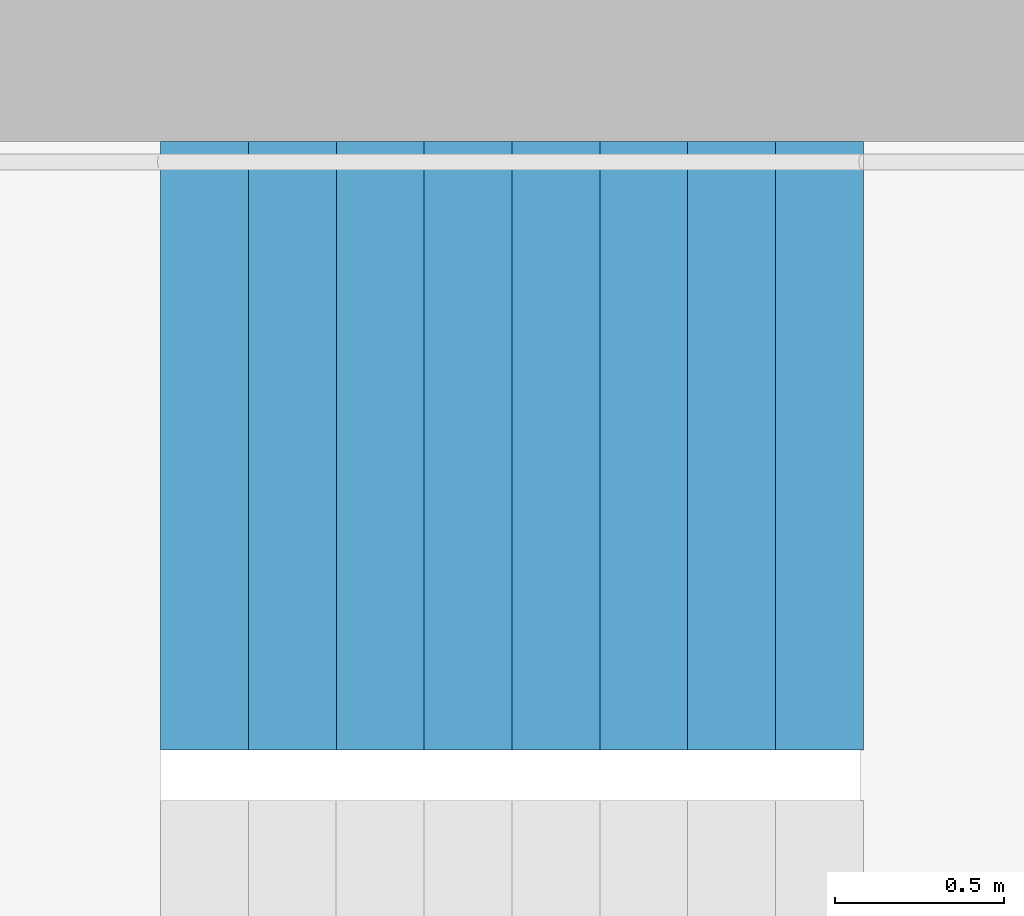
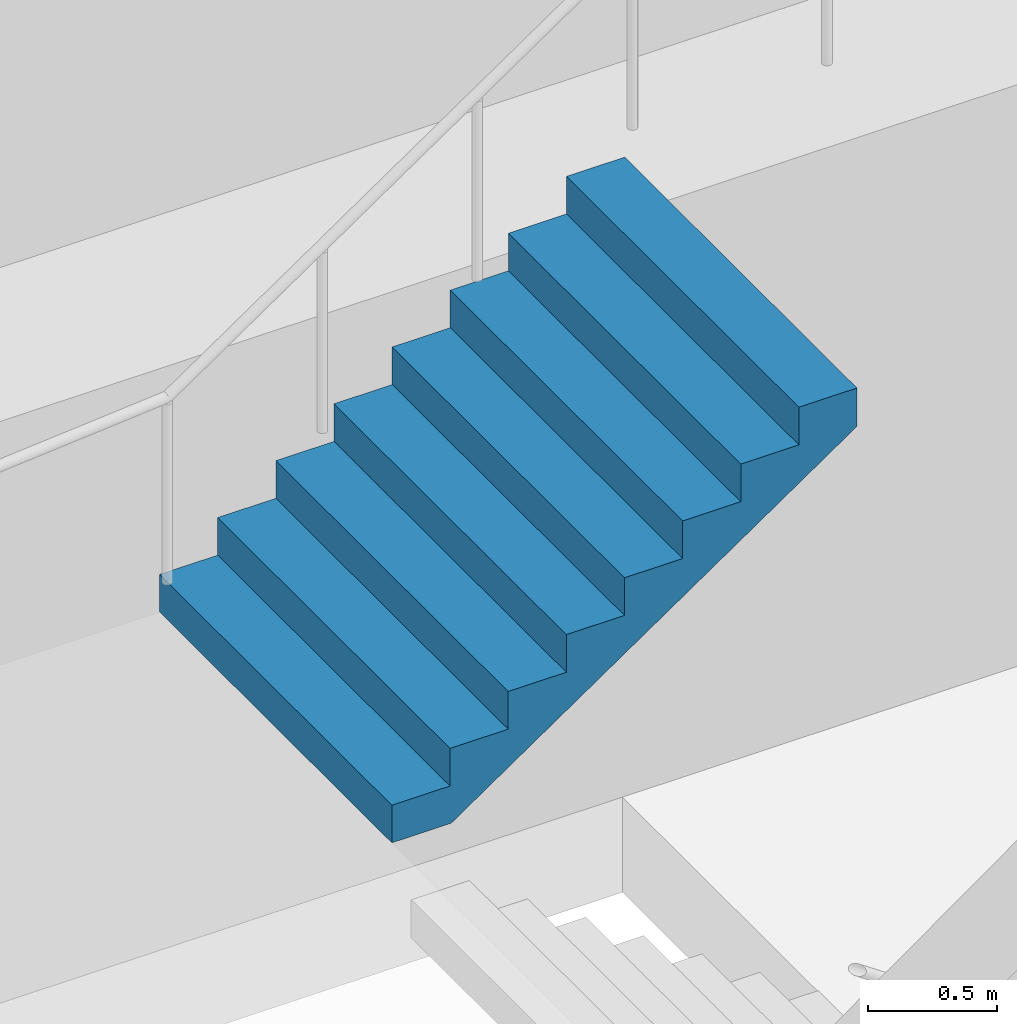
# One storey, part 25 of 26: 1 stair flight, 1 element without a shape of its own.
"""IFC4 building model written with IfcOpenShell, lengths in metres."""

from ifc_helpers import new_model, si_unit, direction, frame, origin, place, context, subcontext, project, spatial, triangles, material, type_object, element, aggregate, save


model = new_model("IFC4")

# Units and contexts
model_context = context("Model", 3, precision=1e-05, world=origin(), true_north=direction((0.0, 1.0)))
body_context = subcontext(model_context, "Body", "Model", "MODEL_VIEW")
ifc_project = project(units=[si_unit("LENGTHUNIT", "METRE"), si_unit("AREAUNIT", "SQUARE_METRE"), si_unit("VOLUMEUNIT", "CUBIC_METRE"), si_unit("PLANEANGLEUNIT", "RADIAN"), si_unit("MASSUNIT", "GRAM", prefix="KILO")], contexts=[model_context])

# Site, building, storey
site_placement = place(None, origin())
site = spatial("IfcSite", under=ifc_project, at=site_placement, CompositionType="ELEMENT")
building_placement = place(site_placement, origin())
building = spatial("IfcBuilding", under=site, at=building_placement, Name="Hakoniwa Tower and Hamabe Station Hall", CompositionType="ELEMENT")
storey_placement = place(building_placement, frame((0.0, 0.0, 251.800048828125)))
storey = spatial("IfcBuildingStorey", under=building, at=storey_placement, Name="L71", CompositionType="ELEMENT", Elevation=251.800048828125)

# Stair, stair flight
ifc_material_1 = material(Name="Concrete C40", Category="concrete")
stair_type = type_object("IfcStairType", Name="ESCAPE STAIR 1800", PredefinedType="HALF_TURN_STAIR", material=ifc_material_1)
stair_placement = place(storey_placement, origin())
stair = element("IfcStair", 1, at=stair_placement, inside=storey, type_object=stair_type, Name="Escape stair ST-3 L71", PredefinedType="HALF_TURN_STAIR")
ifc_material_2 = material(Name="Concrete C40", Category="concrete")
stair_flight_type = type_object("IfcStairFlightType", Name="STAIR FLIGHT 1800", PredefinedType="STRAIGHT", material=ifc_material_2)
stair_flight_placement = place(storey_placement, frame((22.320068359375, 6.60009765625, 1.599853515625), z_axis=(0.0, 0.0, 1.0), x_axis=(1.0, 0.0, 0.0)))
stair_flight = element("IfcStairFlight", 2, at=stair_flight_placement, type_object=stair_flight_type, Name="ST-3 flight 2", NumberOfRisers=9, NumberOfTreads=8, PredefinedType="STRAIGHT", RiserHeight=0.177777778, TreadLength=0.26, context=body_context, shape_type="Tessellation", body=[
    triangles([(0.0, 0.89990234375, 0.0), (0.260009765625, 0.89990234375, 0.0), (0.265625, 0.89990234375, 0.0), (0.52001953125, 0.89990234375, 0.174072265625), (0.780029296875, 0.89990234375, 0.351806640625), (1.0400390625, 0.89990234375, 0.529541015625), (1.300048828125, 0.89990234375, 0.707275390625), (1.56005859375, 0.89990234375, 0.885009765625), (1.820068359375, 0.89990234375, 1.062744140625), (2.080078125, 0.89990234375, 1.24072265625), (2.080078125, 0.89990234375, 1.422119140625), (1.820068359375, 0.89990234375, 1.422119140625), (1.820068359375, 0.89990234375, 1.244384765625), (1.56005859375, 0.89990234375, 1.244384765625), (1.56005859375, 0.89990234375, 1.066650390625), (1.300048828125, 0.89990234375, 1.066650390625), (1.300048828125, 0.89990234375, 0.888916015625), (1.0400390625, 0.89990234375, 0.888916015625), (1.0400390625, 0.89990234375, 0.711181640625), (0.780029296875, 0.89990234375, 0.711181640625), (0.780029296875, 0.89990234375, 0.533447265625), (0.52001953125, 0.89990234375, 0.533447265625), (0.52001953125, 0.89990234375, 0.35546875), (0.265625, 0.89990234375, 0.35546875), (0.260009765625, 0.89990234375, 0.35546875), (0.260009765625, 0.89990234375, 0.177734375), (0.0, 0.89990234375, 0.177734375), (0.0, 0.06005859375, 0.0), (0.260009765625, 0.06005859375, 0.0), (0.265625, 0.06005859375, 0.0), (0.52001953125, 0.06005859375, 0.174072265625), (0.780029296875, 0.06005859375, 0.351806640625), (1.0400390625, 0.06005859375, 0.529541015625), (1.300048828125, 0.06005859375, 0.707275390625), (1.56005859375, 0.06005859375, 0.885009765625), (1.820068359375, 0.06005859375, 1.062744140625), (2.080078125, 0.06005859375, 1.24072265625), (2.080078125, 0.06005859375, 1.422119140625), (1.820068359375, 0.06005859375, 1.422119140625), (1.820068359375, 0.06005859375, 1.244384765625), (1.56005859375, 0.06005859375, 1.244384765625), (1.56005859375, 0.06005859375, 1.066650390625), (1.300048828125, 0.06005859375, 1.066650390625), (1.300048828125, 0.06005859375, 0.888916015625), (1.0400390625, 0.06005859375, 0.888916015625), (1.0400390625, 0.06005859375, 0.711181640625), (0.780029296875, 0.06005859375, 0.711181640625), (0.780029296875, 0.06005859375, 0.533447265625), (0.52001953125, 0.06005859375, 0.533447265625), (0.52001953125, 0.06005859375, 0.35546875), (0.265625, 0.06005859375, 0.35546875), (0.260009765625, 0.06005859375, 0.35546875), (0.260009765625, 0.06005859375, 0.177734375), (0.0, 0.06005859375, 0.177734375), (0.0, 0.04296875, 0.0), (0.260009765625, 0.04296875, 0.0), (0.265625, 0.04296875, 0.0), (0.52001953125, 0.04296875, 0.174072265625), (0.780029296875, 0.04296875, 0.351806640625), (1.0400390625, 0.04296875, 0.529541015625), (1.300048828125, 0.04296875, 0.707275390625), (1.56005859375, 0.04296875, 0.885009765625), (1.820068359375, 0.04296875, 1.062744140625), (2.080078125, 0.04296875, 1.24072265625), (2.080078125, 0.04296875, 1.422119140625), (1.820068359375, 0.04296875, 1.422119140625), (1.820068359375, 0.04296875, 1.244384765625), (1.56005859375, 0.04296875, 1.244384765625), (1.56005859375, 0.04296875, 1.066650390625), (1.300048828125, 0.04296875, 1.066650390625), (1.300048828125, 0.04296875, 0.888916015625), (1.0400390625, 0.04296875, 0.888916015625), (1.0400390625, 0.04296875, 0.711181640625), (0.780029296875, 0.04296875, 0.711181640625), (0.780029296875, 0.04296875, 0.533447265625), (0.52001953125, 0.04296875, 0.533447265625), (0.52001953125, 0.04296875, 0.35546875), (0.265625, 0.04296875, 0.35546875), (0.260009765625, 0.04296875, 0.35546875), (0.260009765625, 0.04296875, 0.177734375), (0.0, 0.04296875, 0.177734375), (0.0, 0.025634765625, 0.0), (0.260009765625, 0.025634765625, 0.0), (0.265625, 0.025634765625, 0.0), (0.52001953125, 0.025634765625, 0.174072265625), (0.780029296875, 0.025634765625, 0.351806640625), (1.0400390625, 0.025634765625, 0.529541015625), (1.300048828125, 0.025634765625, 0.707275390625), (1.56005859375, 0.025634765625, 0.885009765625), (1.820068359375, 0.025634765625, 1.062744140625), (2.080078125, 0.025634765625, 1.24072265625), (2.080078125, 0.025634765625, 1.422119140625), (1.820068359375, 0.025634765625, 1.422119140625), (1.820068359375, 0.025634765625, 1.244384765625), (1.56005859375, 0.025634765625, 1.244384765625), (1.56005859375, 0.025634765625, 1.066650390625), (1.300048828125, 0.025634765625, 1.066650390625), (1.300048828125, 0.025634765625, 0.888916015625), (1.0400390625, 0.025634765625, 0.888916015625), (1.0400390625, 0.025634765625, 0.711181640625), (0.780029296875, 0.025634765625, 0.711181640625), (0.780029296875, 0.025634765625, 0.533447265625), (0.52001953125, 0.025634765625, 0.533447265625), (0.52001953125, 0.025634765625, 0.35546875), (0.265625, 0.025634765625, 0.35546875), (0.260009765625, 0.025634765625, 0.35546875), (0.260009765625, 0.025634765625, 0.177734375), (0.0, 0.025634765625, 0.177734375), (0.0, 0.008544921875, 0.0), (0.260009765625, 0.008544921875, 0.0), (0.265625, 0.008544921875, 0.0), (0.52001953125, 0.008544921875, 0.174072265625), (0.780029296875, 0.008544921875, 0.351806640625), (1.0400390625, 0.008544921875, 0.529541015625), (1.300048828125, 0.008544921875, 0.707275390625), (1.56005859375, 0.008544921875, 0.885009765625), (1.820068359375, 0.008544921875, 1.062744140625), (2.080078125, 0.008544921875, 1.24072265625), (2.080078125, 0.008544921875, 1.422119140625), (1.820068359375, 0.008544921875, 1.422119140625), (1.820068359375, 0.008544921875, 1.244384765625), (1.56005859375, 0.008544921875, 1.244384765625), (1.56005859375, 0.008544921875, 1.066650390625), (1.300048828125, 0.008544921875, 1.066650390625), (1.300048828125, 0.008544921875, 0.888916015625), (1.0400390625, 0.008544921875, 0.888916015625), (1.0400390625, 0.008544921875, 0.711181640625), (0.780029296875, 0.008544921875, 0.711181640625), (0.780029296875, 0.008544921875, 0.533447265625), (0.52001953125, 0.008544921875, 0.533447265625), (0.52001953125, 0.008544921875, 0.35546875), (0.265625, 0.008544921875, 0.35546875), (0.260009765625, 0.008544921875, 0.35546875), (0.260009765625, 0.008544921875, 0.177734375), (0.0, 0.008544921875, 0.177734375), (0.0, -0.008544921875, 0.0), (0.260009765625, -0.008544921875, 0.0), (0.265625, -0.008544921875, 0.0), (0.52001953125, -0.008544921875, 0.174072265625), (0.780029296875, -0.008544921875, 0.351806640625), (1.0400390625, -0.008544921875, 0.529541015625), (1.300048828125, -0.008544921875, 0.707275390625), (1.56005859375, -0.008544921875, 0.885009765625), (1.820068359375, -0.008544921875, 1.062744140625), (2.080078125, -0.008544921875, 1.24072265625), (2.080078125, -0.008544921875, 1.422119140625), (1.820068359375, -0.008544921875, 1.422119140625), (1.820068359375, -0.008544921875, 1.244384765625), (1.56005859375, -0.008544921875, 1.244384765625), (1.56005859375, -0.008544921875, 1.066650390625), (1.300048828125, -0.008544921875, 1.066650390625), (1.300048828125, -0.008544921875, 0.888916015625), (1.0400390625, -0.008544921875, 0.888916015625), (1.0400390625, -0.008544921875, 0.711181640625), (0.780029296875, -0.008544921875, 0.711181640625), (0.780029296875, -0.008544921875, 0.533447265625), (0.52001953125, -0.008544921875, 0.533447265625), (0.52001953125, -0.008544921875, 0.35546875), (0.265625, -0.008544921875, 0.35546875), (0.260009765625, -0.008544921875, 0.35546875), (0.260009765625, -0.008544921875, 0.177734375), (0.0, -0.008544921875, 0.177734375), (0.0, -0.025634765625, 0.0), (0.260009765625, -0.025634765625, 0.0), (0.265625, -0.025634765625, 0.0), (0.52001953125, -0.025634765625, 0.174072265625), (0.780029296875, -0.025634765625, 0.351806640625), (1.0400390625, -0.025634765625, 0.529541015625), (1.300048828125, -0.025634765625, 0.707275390625), (1.56005859375, -0.025634765625, 0.885009765625), (1.820068359375, -0.025634765625, 1.062744140625), (2.080078125, -0.025634765625, 1.24072265625), (2.080078125, -0.025634765625, 1.422119140625), (1.820068359375, -0.025634765625, 1.422119140625), (1.820068359375, -0.025634765625, 1.244384765625), (1.56005859375, -0.025634765625, 1.244384765625), (1.56005859375, -0.025634765625, 1.066650390625), (1.300048828125, -0.025634765625, 1.066650390625), (1.300048828125, -0.025634765625, 0.888916015625), (1.0400390625, -0.025634765625, 0.888916015625), (1.0400390625, -0.025634765625, 0.711181640625), (0.780029296875, -0.025634765625, 0.711181640625), (0.780029296875, -0.025634765625, 0.533447265625), (0.52001953125, -0.025634765625, 0.533447265625), (0.52001953125, -0.025634765625, 0.35546875), (0.265625, -0.025634765625, 0.35546875), (0.260009765625, -0.025634765625, 0.35546875), (0.260009765625, -0.025634765625, 0.177734375), (0.0, -0.025634765625, 0.177734375), (0.0, -0.04296875, 0.0), (0.260009765625, -0.04296875, 0.0), (0.265625, -0.04296875, 0.0), (0.52001953125, -0.04296875, 0.174072265625), (0.780029296875, -0.04296875, 0.351806640625), (1.0400390625, -0.04296875, 0.529541015625), (1.300048828125, -0.04296875, 0.707275390625), (1.56005859375, -0.04296875, 0.885009765625), (1.820068359375, -0.04296875, 1.062744140625), (2.080078125, -0.04296875, 1.24072265625), (2.080078125, -0.04296875, 1.422119140625), (1.820068359375, -0.04296875, 1.422119140625), (1.820068359375, -0.04296875, 1.244384765625), (1.56005859375, -0.04296875, 1.244384765625), (1.56005859375, -0.04296875, 1.066650390625), (1.300048828125, -0.04296875, 1.066650390625), (1.300048828125, -0.04296875, 0.888916015625), (1.0400390625, -0.04296875, 0.888916015625), (1.0400390625, -0.04296875, 0.711181640625), (0.780029296875, -0.04296875, 0.711181640625), (0.780029296875, -0.04296875, 0.533447265625), (0.52001953125, -0.04296875, 0.533447265625), (0.52001953125, -0.04296875, 0.35546875), (0.265625, -0.04296875, 0.35546875), (0.260009765625, -0.04296875, 0.35546875), (0.260009765625, -0.04296875, 0.177734375), (0.0, -0.04296875, 0.177734375), (0.0, -0.06005859375, 0.0), (0.260009765625, -0.06005859375, 0.0), (0.265625, -0.06005859375, 0.0), (0.52001953125, -0.06005859375, 0.174072265625), (0.780029296875, -0.06005859375, 0.351806640625), (1.0400390625, -0.06005859375, 0.529541015625), (1.300048828125, -0.06005859375, 0.707275390625), (1.56005859375, -0.06005859375, 0.885009765625), (1.820068359375, -0.06005859375, 1.062744140625), (2.080078125, -0.06005859375, 1.24072265625), (2.080078125, -0.06005859375, 1.422119140625), (1.820068359375, -0.06005859375, 1.422119140625), (1.820068359375, -0.06005859375, 1.244384765625), (1.56005859375, -0.06005859375, 1.244384765625), (1.56005859375, -0.06005859375, 1.066650390625), (1.300048828125, -0.06005859375, 1.066650390625), (1.300048828125, -0.06005859375, 0.888916015625), (1.0400390625, -0.06005859375, 0.888916015625), (1.0400390625, -0.06005859375, 0.711181640625), (0.780029296875, -0.06005859375, 0.711181640625), (0.780029296875, -0.06005859375, 0.533447265625), (0.52001953125, -0.06005859375, 0.533447265625), (0.52001953125, -0.06005859375, 0.35546875), (0.265625, -0.06005859375, 0.35546875), (0.260009765625, -0.06005859375, 0.35546875), (0.260009765625, -0.06005859375, 0.177734375), (0.0, -0.06005859375, 0.177734375), (0.0, -0.89990234375, 0.0), (0.260009765625, -0.89990234375, 0.0), (0.265625, -0.89990234375, 0.0), (0.52001953125, -0.89990234375, 0.174072265625), (0.780029296875, -0.89990234375, 0.351806640625), (1.0400390625, -0.89990234375, 0.529541015625), (1.300048828125, -0.89990234375, 0.707275390625), (1.56005859375, -0.89990234375, 0.885009765625), (1.820068359375, -0.89990234375, 1.062744140625), (2.080078125, -0.89990234375, 1.24072265625), (2.080078125, -0.89990234375, 1.422119140625), (1.820068359375, -0.89990234375, 1.422119140625), (1.820068359375, -0.89990234375, 1.244384765625), (1.56005859375, -0.89990234375, 1.244384765625), (1.56005859375, -0.89990234375, 1.066650390625), (1.300048828125, -0.89990234375, 1.066650390625), (1.300048828125, -0.89990234375, 0.888916015625), (1.0400390625, -0.89990234375, 0.888916015625), (1.0400390625, -0.89990234375, 0.711181640625), (0.780029296875, -0.89990234375, 0.711181640625), (0.780029296875, -0.89990234375, 0.533447265625), (0.52001953125, -0.89990234375, 0.533447265625), (0.52001953125, -0.89990234375, 0.35546875), (0.265625, -0.89990234375, 0.35546875), (0.260009765625, -0.89990234375, 0.35546875), (0.260009765625, -0.89990234375, 0.177734375), (0.0, -0.89990234375, 0.177734375)], [[2, 27, 26], [245, 269, 270], [2, 1, 27], [245, 270, 244], [3, 25, 24], [246, 267, 268], [3, 26, 25], [246, 268, 269], [3, 2, 26], [246, 269, 245], [4, 24, 23], [247, 266, 267], [4, 3, 24], [247, 267, 246], [5, 22, 21], [248, 264, 265], [5, 23, 22], [248, 265, 266], [5, 4, 23], [248, 266, 247], [6, 20, 19], [249, 262, 263], [6, 21, 20], [249, 263, 264], [6, 5, 21], [249, 264, 248], [7, 18, 17], [250, 260, 261], [7, 19, 18], [250, 261, 262], [7, 6, 19], [250, 262, 249], [8, 16, 15], [251, 258, 259], [8, 17, 16], [251, 259, 260], [8, 7, 17], [251, 260, 250], [9, 14, 13], [252, 256, 257], [9, 15, 14], [252, 257, 258], [9, 8, 15], [252, 258, 251], [10, 12, 11], [253, 254, 255], [10, 13, 12], [253, 255, 256], [10, 9, 13], [253, 256, 252], [1, 2, 29], [1, 29, 28], [28, 29, 56], [28, 56, 55], [55, 56, 83], [55, 83, 82], [82, 83, 110], [82, 110, 109], [109, 110, 137], [109, 137, 136], [136, 137, 164], [136, 164, 163], [163, 164, 191], [163, 191, 190], [190, 191, 218], [190, 218, 217], [217, 218, 245], [217, 245, 244], [2, 3, 30], [2, 30, 29], [29, 30, 57], [29, 57, 56], [56, 57, 84], [56, 84, 83], [83, 84, 111], [83, 111, 110], [110, 111, 138], [110, 138, 137], [137, 138, 165], [137, 165, 164], [164, 165, 192], [164, 192, 191], [191, 192, 219], [191, 219, 218], [218, 219, 246], [218, 246, 245], [3, 4, 31], [3, 31, 30], [30, 31, 58], [30, 58, 57], [57, 58, 85], [57, 85, 84], [84, 85, 112], [84, 112, 111], [111, 112, 139], [111, 139, 138], [138, 139, 166], [138, 166, 165], [165, 166, 193], [165, 193, 192], [192, 193, 220], [192, 220, 219], [219, 220, 247], [219, 247, 246], [4, 5, 32], [4, 32, 31], [31, 32, 59], [31, 59, 58], [58, 59, 86], [58, 86, 85], [85, 86, 113], [85, 113, 112], [112, 113, 140], [112, 140, 139], [139, 140, 167], [139, 167, 166], [166, 167, 194], [166, 194, 193], [193, 194, 221], [193, 221, 220], [220, 221, 248], [220, 248, 247], [5, 6, 33], [5, 33, 32], [32, 33, 60], [32, 60, 59], [59, 60, 87], [59, 87, 86], [86, 87, 114], [86, 114, 113], [113, 114, 141], [113, 141, 140], [140, 141, 168], [140, 168, 167], [167, 168, 195], [167, 195, 194], [194, 195, 222], [194, 222, 221], [221, 222, 249], [221, 249, 248], [6, 7, 34], [6, 34, 33], [33, 34, 61], [33, 61, 60], [60, 61, 88], [60, 88, 87], [87, 88, 115], [87, 115, 114], [114, 115, 142], [114, 142, 141], [141, 142, 169], [141, 169, 168], [168, 169, 196], [168, 196, 195], [195, 196, 223], [195, 223, 222], [222, 223, 250], [222, 250, 249], [7, 8, 35], [7, 35, 34], [34, 35, 62], [34, 62, 61], [61, 62, 89], [61, 89, 88], [88, 89, 116], [88, 116, 115], [115, 116, 143], [115, 143, 142], [142, 143, 170], [142, 170, 169], [169, 170, 197], [169, 197, 196], [196, 197, 224], [196, 224, 223], [223, 224, 251], [223, 251, 250], [8, 9, 36], [8, 36, 35], [35, 36, 63], [35, 63, 62], [62, 63, 90], [62, 90, 89], [89, 90, 117], [89, 117, 116], [116, 117, 144], [116, 144, 143], [143, 144, 171], [143, 171, 170], [170, 171, 198], [170, 198, 197], [197, 198, 225], [197, 225, 224], [224, 225, 252], [224, 252, 251], [9, 10, 37], [9, 37, 36], [36, 37, 64], [36, 64, 63], [63, 64, 91], [63, 91, 90], [90, 91, 118], [90, 118, 117], [117, 118, 145], [117, 145, 144], [144, 145, 172], [144, 172, 171], [171, 172, 199], [171, 199, 198], [198, 199, 226], [198, 226, 225], [225, 226, 253], [225, 253, 252], [10, 11, 38], [10, 38, 37], [37, 38, 65], [37, 65, 64], [64, 65, 92], [64, 92, 91], [91, 92, 119], [91, 119, 118], [118, 119, 146], [118, 146, 145], [145, 146, 173], [145, 173, 172], [172, 173, 200], [172, 200, 199], [199, 200, 227], [199, 227, 226], [226, 227, 254], [226, 254, 253], [11, 12, 39], [11, 39, 38], [38, 39, 66], [38, 66, 65], [65, 66, 93], [65, 93, 92], [92, 93, 120], [92, 120, 119], [119, 120, 147], [119, 147, 146], [146, 147, 174], [146, 174, 173], [173, 174, 201], [173, 201, 200], [200, 201, 228], [200, 228, 227], [227, 228, 255], [227, 255, 254], [12, 13, 40], [12, 40, 39], [39, 40, 67], [39, 67, 66], [66, 67, 94], [66, 94, 93], [93, 94, 121], [93, 121, 120], [120, 121, 148], [120, 148, 147], [147, 148, 175], [147, 175, 174], [174, 175, 202], [174, 202, 201], [201, 202, 229], [201, 229, 228], [228, 229, 256], [228, 256, 255], [13, 14, 41], [13, 41, 40], [40, 41, 68], [40, 68, 67], [67, 68, 95], [67, 95, 94], [94, 95, 122], [94, 122, 121], [121, 122, 149], [121, 149, 148], [148, 149, 176], [148, 176, 175], [175, 176, 203], [175, 203, 202], [202, 203, 230], [202, 230, 229], [229, 230, 257], [229, 257, 256], [14, 15, 42], [14, 42, 41], [41, 42, 69], [41, 69, 68], [68, 69, 96], [68, 96, 95], [95, 96, 123], [95, 123, 122], [122, 123, 150], [122, 150, 149], [149, 150, 177], [149, 177, 176], [176, 177, 204], [176, 204, 203], [203, 204, 231], [203, 231, 230], [230, 231, 258], [230, 258, 257], [15, 16, 43], [15, 43, 42], [42, 43, 70], [42, 70, 69], [69, 70, 97], [69, 97, 96], [96, 97, 124], [96, 124, 123], [123, 124, 151], [123, 151, 150], [150, 151, 178], [150, 178, 177], [177, 178, 205], [177, 205, 204], [204, 205, 232], [204, 232, 231], [231, 232, 259], [231, 259, 258], [16, 17, 44], [16, 44, 43], [43, 44, 71], [43, 71, 70], [70, 71, 98], [70, 98, 97], [97, 98, 125], [97, 125, 124], [124, 125, 152], [124, 152, 151], [151, 152, 179], [151, 179, 178], [178, 179, 206], [178, 206, 205], [205, 206, 233], [205, 233, 232], [232, 233, 260], [232, 260, 259], [17, 18, 45], [17, 45, 44], [44, 45, 72], [44, 72, 71], [71, 72, 99], [71, 99, 98], [98, 99, 126], [98, 126, 125], [125, 126, 153], [125, 153, 152], [152, 153, 180], [152, 180, 179], [179, 180, 207], [179, 207, 206], [206, 207, 234], [206, 234, 233], [233, 234, 261], [233, 261, 260], [18, 19, 46], [18, 46, 45], [45, 46, 73], [45, 73, 72], [72, 73, 100], [72, 100, 99], [99, 100, 127], [99, 127, 126], [126, 127, 154], [126, 154, 153], [153, 154, 181], [153, 181, 180], [180, 181, 208], [180, 208, 207], [207, 208, 235], [207, 235, 234], [234, 235, 262], [234, 262, 261], [19, 20, 47], [19, 47, 46], [46, 47, 74], [46, 74, 73], [73, 74, 101], [73, 101, 100], [100, 101, 128], [100, 128, 127], [127, 128, 155], [127, 155, 154], [154, 155, 182], [154, 182, 181], [181, 182, 209], [181, 209, 208], [208, 209, 236], [208, 236, 235], [235, 236, 263], [235, 263, 262], [20, 21, 48], [20, 48, 47], [47, 48, 75], [47, 75, 74], [74, 75, 102], [74, 102, 101], [101, 102, 129], [101, 129, 128], [128, 129, 156], [128, 156, 155], [155, 156, 183], [155, 183, 182], [182, 183, 210], [182, 210, 209], [209, 210, 237], [209, 237, 236], [236, 237, 264], [236, 264, 263], [21, 22, 49], [21, 49, 48], [48, 49, 76], [48, 76, 75], [75, 76, 103], [75, 103, 102], [102, 103, 130], [102, 130, 129], [129, 130, 157], [129, 157, 156], [156, 157, 184], [156, 184, 183], [183, 184, 211], [183, 211, 210], [210, 211, 238], [210, 238, 237], [237, 238, 265], [237, 265, 264], [22, 23, 50], [22, 50, 49], [49, 50, 77], [49, 77, 76], [76, 77, 104], [76, 104, 103], [103, 104, 131], [103, 131, 130], [130, 131, 158], [130, 158, 157], [157, 158, 185], [157, 185, 184], [184, 185, 212], [184, 212, 211], [211, 212, 239], [211, 239, 238], [238, 239, 266], [238, 266, 265], [23, 24, 51], [23, 51, 50], [50, 51, 78], [50, 78, 77], [77, 78, 105], [77, 105, 104], [104, 105, 132], [104, 132, 131], [131, 132, 159], [131, 159, 158], [158, 159, 186], [158, 186, 185], [185, 186, 213], [185, 213, 212], [212, 213, 240], [212, 240, 239], [239, 240, 267], [239, 267, 266], [24, 25, 52], [24, 52, 51], [51, 52, 79], [51, 79, 78], [78, 79, 106], [78, 106, 105], [105, 106, 133], [105, 133, 132], [132, 133, 160], [132, 160, 159], [159, 160, 187], [159, 187, 186], [186, 187, 214], [186, 214, 213], [213, 214, 241], [213, 241, 240], [240, 241, 268], [240, 268, 267], [25, 26, 53], [25, 53, 52], [52, 53, 80], [52, 80, 79], [79, 80, 107], [79, 107, 106], [106, 107, 134], [106, 134, 133], [133, 134, 161], [133, 161, 160], [160, 161, 188], [160, 188, 187], [187, 188, 215], [187, 215, 214], [214, 215, 242], [214, 242, 241], [241, 242, 269], [241, 269, 268], [26, 27, 54], [26, 54, 53], [53, 54, 81], [53, 81, 80], [80, 81, 108], [80, 108, 107], [107, 108, 135], [107, 135, 134], [134, 135, 162], [134, 162, 161], [161, 162, 189], [161, 189, 188], [188, 189, 216], [188, 216, 215], [215, 216, 243], [215, 243, 242], [242, 243, 270], [242, 270, 269], [27, 1, 28], [27, 28, 54], [54, 28, 55], [54, 55, 81], [81, 55, 82], [81, 82, 108], [108, 82, 109], [108, 109, 135], [135, 109, 136], [135, 136, 162], [162, 136, 163], [162, 163, 189], [189, 163, 190], [189, 190, 216], [216, 190, 217], [216, 217, 243], [243, 217, 244], [243, 244, 270]], closed=True),
])
aggregate(stair, [stair_flight])

save(model, "model.ifc")
